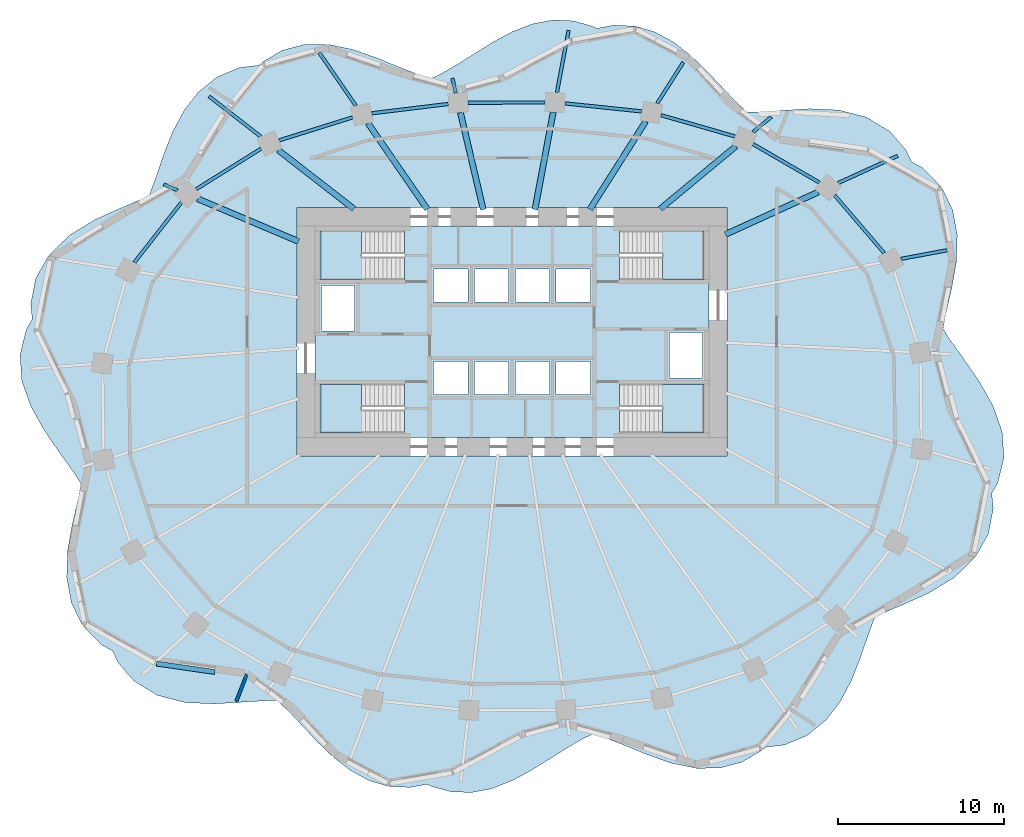
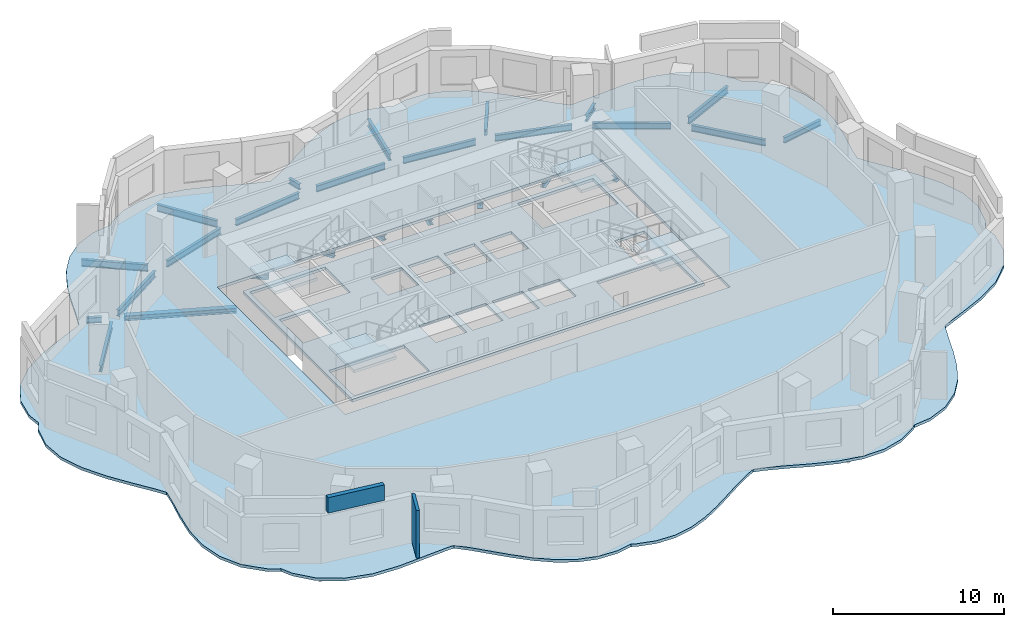
# One storey, part 2 of 8: 26 beams, 6 slabs, 2 walls, 4 elements without a shape of their own.
"""IFC4 building model written with IfcOpenShell, lengths in metres."""

from ifc_helpers import new_model, si_unit, direction, frame, frame_2d, origin, origin_2d, place, context, subcontext, project, spatial, polyline, rectangle, i_section, outline, extrude, material, layer, layer_set, material_profile, profile_set, type_object, element, aggregate, save


model = new_model("IFC4")

# Units and contexts
model_context = context("Model", 3, precision=1e-05, world=origin(), true_north=direction((0.0, 1.0)))
body_context = subcontext(model_context, "Body", "Model", "MODEL_VIEW")
ifc_project = project(units=[si_unit("LENGTHUNIT", "METRE"), si_unit("AREAUNIT", "SQUARE_METRE"), si_unit("VOLUMEUNIT", "CUBIC_METRE"), si_unit("PLANEANGLEUNIT", "RADIAN"), si_unit("MASSUNIT", "GRAM", prefix="KILO")], contexts=[model_context])

# Site, building, storey
site_placement = place(None, origin())
site = spatial("IfcSite", under=ifc_project, at=site_placement, CompositionType="ELEMENT")
building_placement = place(site_placement, origin())
building = spatial("IfcBuilding", under=site, at=building_placement, Name="Rubra Terraces Tower", CompositionType="ELEMENT")
storey_placement = place(building_placement, frame((0.0, 0.0, 106.800048828125)))
storey = spatial("IfcBuildingStorey", under=building, at=storey_placement, Name="L25", CompositionType="ELEMENT", Elevation=106.800048828125)

# Beams
ifc_material_1 = material(Name="Steel Q355B", Category="steel")
ifc_material_profile_1 = material_profile(ifc_material_1, i_section(OverallWidth=0.199951171875, OverallDepth=0.39990234375, WebThickness=0.008056640625, FlangeThickness=0.012939453125, at=origin_2d()), Name="HN 400x200x8x13")
ifc_profile_set_1 = profile_set([ifc_material_profile_1], Name="Steel Q355B")
beam_type_1 = type_object("IfcBeamType", Name="CANTILEVER BEAM HN 400x200x8x13", PredefinedType="BEAM", material=ifc_profile_set_1)
beam_1_placement = place(storey_placement, frame((23.5009765625, 8.904052734375, -0.400146484375), z_axis=(0.982900503659, 0.184137448407, 0.0), x_axis=(-0.184137448407, 0.982900503659, 0.0)))
element("IfcBeam", 1, at=beam_1_placement, inside=storey, type_object=beam_type_1, Name="beam-L25-cant-02", PredefinedType="BEAM", context=body_context, shape_type="SweptSolid", body=[
    extrude(i_section(OverallWidth=0.199951171875, OverallDepth=0.39990234375, WebThickness=0.008056640625, FlangeThickness=0.012939453125, at=origin_2d()), origin(), (0.0, 0.0, 1.0), 2.829345703125),
])
beam_2_placement = place(storey_placement, frame((8.76806640625, 18.29296875, -0.400146484375), z_axis=(0.536506017285, 0.843896494493, 0.0), x_axis=(-0.843896494493, 0.536506017285, 0.0)))
element("IfcBeam", 2, at=beam_2_placement, inside=storey, type_object=beam_type_1, Name="beam-L25-cant-05", PredefinedType="BEAM", context=body_context, shape_type="SweptSolid", body=[
    extrude(i_section(OverallWidth=0.199951171875, OverallDepth=0.39990234375, WebThickness=0.008056640625, FlangeThickness=0.012939453125, at=origin_2d()), origin(), (0.0, 0.0, 1.0), 2.95068359375),
])
ifc_material_profile_2 = material_profile(ifc_material_1, i_section(OverallWidth=0.198974609375, OverallDepth=0.49609375, WebThickness=0.009033203125, FlangeThickness=0.013916015625, at=origin_2d()), Name="HN 496x199x9x14")
ifc_profile_set_2 = profile_set([ifc_material_profile_2], Name="Steel Q355B")
beam_type_2 = type_object("IfcBeamType", Name="CANTILEVER BEAM HN 496x199x9x14", PredefinedType="BEAM", material=ifc_profile_set_2)
beam_3_placement = place(storey_placement, frame((19.697998046875, 13.485107421875, -0.447998046875), z_axis=(0.909768687771, 0.415115567947, 0.0), x_axis=(-0.415115567947, 0.909768687771, 0.0)))
element("IfcBeam", 3, at=beam_3_placement, inside=storey, type_object=beam_type_2, Name="beam-L25-cant-03", PredefinedType="BEAM", context=body_context, shape_type="SweptSolid", body=[
    extrude(i_section(OverallWidth=0.198974609375, OverallDepth=0.49609375, WebThickness=0.009033203125, FlangeThickness=0.013916015625, at=origin_2d()), origin(), (0.0, 0.0, 1.0), 3.950439453125),
])
beam_4_placement = place(storey_placement, frame((2.714111328125, 18.952880859375, -0.447998046875), z_axis=(0.184412291305, 0.982848974571, 0.0), x_axis=(-0.982848974571, 0.184412291305, 0.0)))
element("IfcBeam", 4, at=beam_4_placement, inside=storey, type_object=beam_type_2, Name="beam-L25-cant-06", PredefinedType="BEAM", context=body_context, shape_type="SweptSolid", body=[
    extrude(i_section(OverallWidth=0.198974609375, OverallDepth=0.49609375, WebThickness=0.009033203125, FlangeThickness=0.013916015625, at=origin_2d()), origin(), (0.0, 0.0, 1.0), 3.8115234375),
])
beam_5_placement = place(storey_placement, frame((-9.431884765625, 18.158935546875, -0.447998046875), z_axis=(-0.568196775226, 0.822892717566, 0.0), x_axis=(-0.822892717566, -0.568196775226, 0.0)))
element("IfcBeam", 5, at=beam_5_placement, inside=storey, type_object=beam_type_2, Name="beam-L25-cant-08", PredefinedType="BEAM", context=body_context, shape_type="SweptSolid", body=[
    extrude(i_section(OverallWidth=0.198974609375, OverallDepth=0.49609375, WebThickness=0.009033203125, FlangeThickness=0.013916015625, at=origin_2d()), origin(), (0.0, 0.0, 1.0), 3.8984375),
])
beam_6_placement = place(storey_placement, frame((-15.177001953125, 16.2958984375, -0.447998046875), z_axis=(-0.789565161109, 0.613666730696, 0.0), x_axis=(-0.613666730696, -0.789565161109, 0.0)))
element("IfcBeam", 6, at=beam_6_placement, inside=storey, type_object=beam_type_2, Name="beam-L25-cant-09", PredefinedType="BEAM", context=body_context, shape_type="SweptSolid", body=[
    extrude(i_section(OverallWidth=0.198974609375, OverallDepth=0.49609375, WebThickness=0.009033203125, FlangeThickness=0.013916015625, at=origin_2d()), origin(), (0.0, 0.0, 1.0), 3.9501953125),
])
ifc_material_profile_3 = material_profile(ifc_material_1, i_section(OverallWidth=0.199951171875, OverallDepth=0.39990234375, WebThickness=0.008056640625, FlangeThickness=0.012939453125, at=origin_2d()), Name="HN 400x200x8x13")
ifc_profile_set_3 = profile_set([ifc_material_profile_3], Name="Steel Q355B")
beam_type_3 = type_object("IfcBeamType", Name="CANTILEVER STUB HN 400x200x8x13", PredefinedType="BEAM", material=ifc_profile_set_3)
beam_7_placement = place(storey_placement, frame((14.56201171875, 16.56689453125, -0.400146484375), z_axis=(0.769803051862, 0.63828149068, 0.0), x_axis=(-0.63828149068, 0.769803051862, 0.0)))
element("IfcBeam", 7, at=beam_7_placement, inside=storey, type_object=beam_type_3, Name="beam-L25-cant-04", PredefinedType="BEAM", context=body_context, shape_type="SweptSolid", body=[
    extrude(i_section(OverallWidth=0.199951171875, OverallDepth=0.39990234375, WebThickness=0.008056640625, FlangeThickness=0.012939453125, at=origin_2d()), origin(), (0.0, 0.0, 1.0), 1.427490234375),
])
beam_8_placement = place(storey_placement, frame((-3.39306640625, 18.922119140625, -0.400146484375), z_axis=(-0.228920638897, 0.973445088891, 0.0), x_axis=(-0.973445088891, -0.228920638897, 0.0)))
element("IfcBeam", 8, at=beam_8_placement, inside=storey, type_object=beam_type_3, Name="beam-L25-cant-07", PredefinedType="BEAM", context=body_context, shape_type="SweptSolid", body=[
    extrude(i_section(OverallWidth=0.199951171875, OverallDepth=0.39990234375, WebThickness=0.008056640625, FlangeThickness=0.012939453125, at=origin_2d()), origin(), (0.0, 0.0, 1.0), 0.917236328125),
])
beam_9_placement = place(storey_placement, frame((-20.202880859375, 13.048095703125, -0.400146484375), z_axis=(-0.92094479255, 0.389693070346, 0.0), x_axis=(-0.389693070346, -0.92094479255, 0.0)))
element("IfcBeam", 9, at=beam_9_placement, inside=storey, type_object=beam_type_3, Name="beam-L25-cant-10", PredefinedType="BEAM", context=body_context, shape_type="SweptSolid", body=[
    extrude(i_section(OverallWidth=0.199951171875, OverallDepth=0.39990234375, WebThickness=0.008056640625, FlangeThickness=0.012939453125, at=origin_2d()), origin(), (0.0, 0.0, 1.0), 0.900390625),
])
ifc_material_profile_4 = material_profile(ifc_material_1, i_section(OverallWidth=0.35009765625, OverallDepth=0.35009765625, WebThickness=0.011962890625, FlangeThickness=0.01904296875, at=origin_2d()), Name="HW 350x350x12x19")
ifc_profile_set_4 = profile_set([ifc_material_profile_4], Name="Steel Q355B")
beam_type_4 = type_object("IfcBeamType", Name="FLOOR BEAM HW 350x350x12x19", PredefinedType="BEAM", material=ifc_profile_set_4)
beam_10_placement = place(storey_placement, frame((18.486083984375, 12.93310546875, -0.375), z_axis=(-0.909749612827, -0.415157370116, 0.0), x_axis=(0.415157370116, -0.909749612827, 0.0)))
element("IfcBeam", 10, at=beam_10_placement, inside=storey, type_object=beam_type_4, Name="beam-L25-floor-03", PredefinedType="BEAM", context=body_context, shape_type="SweptSolid", body=[
    extrude(i_section(OverallWidth=0.35009765625, OverallDepth=0.35009765625, WebThickness=0.011962890625, FlangeThickness=0.01904296875, at=origin_2d()), origin(), (0.0, 0.0, 1.0), 6.14990234375),
])
beam_11_placement = place(storey_placement, frame((13.52197265625, 15.705078125, -0.375), z_axis=(-0.769987448283, -0.638059032917, 0.0), x_axis=(0.638059032917, -0.769987448283, 0.0)))
element("IfcBeam", 11, at=beam_11_placement, inside=storey, type_object=beam_type_4, Name="beam-L25-floor-04", PredefinedType="BEAM", context=body_context, shape_type="SweptSolid", body=[
    extrude(i_section(OverallWidth=0.35009765625, OverallDepth=0.35009765625, WebThickness=0.011962890625, FlangeThickness=0.01904296875, at=origin_2d()), origin(), (0.0, 0.0, 1.0), 5.92724609375),
])
beam_12_placement = place(storey_placement, frame((8.075927734375, 17.205078125, -0.375), z_axis=(-0.536468405163, -0.843920405169, 0.0), x_axis=(0.843920405169, -0.536468405163, 0.0)))
element("IfcBeam", 12, at=beam_12_placement, inside=storey, type_object=beam_type_4, Name="beam-L25-floor-05", PredefinedType="BEAM", context=body_context, shape_type="SweptSolid", body=[
    extrude(i_section(OverallWidth=0.35009765625, OverallDepth=0.35009765625, WebThickness=0.011962890625, FlangeThickness=0.01904296875, at=origin_2d()), origin(), (0.0, 0.0, 1.0), 6.28759765625),
])
beam_13_placement = place(storey_placement, frame((2.489990234375, 17.762939453125, -0.375), z_axis=(-0.184505318504, -0.982831515288, 0.0), x_axis=(0.982831515288, -0.184505318504, 0.0)))
element("IfcBeam", 13, at=beam_13_placement, inside=storey, type_object=beam_type_4, Name="beam-L25-floor-06", PredefinedType="BEAM", context=body_context, shape_type="SweptSolid", body=[
    extrude(i_section(OverallWidth=0.35009765625, OverallDepth=0.35009765625, WebThickness=0.011962890625, FlangeThickness=0.01904296875, at=origin_2d()), origin(), (0.0, 0.0, 1.0), 5.983642578125),
])
beam_14_placement = place(storey_placement, frame((-3.114990234375, 17.738037109375, -0.375), z_axis=(0.229084580284, -0.973406520975, 0.0), x_axis=(0.973406520975, 0.229084580284, 0.0)))
element("IfcBeam", 14, at=beam_14_placement, inside=storey, type_object=beam_type_4, Name="beam-L25-floor-07", PredefinedType="BEAM", context=body_context, shape_type="SweptSolid", body=[
    extrude(i_section(OverallWidth=0.35009765625, OverallDepth=0.35009765625, WebThickness=0.011962890625, FlangeThickness=0.01904296875, at=origin_2d()), origin(), (0.0, 0.0, 1.0), 6.014892578125),
])
beam_15_placement = place(storey_placement, frame((-8.694091796875, 17.091064453125, -0.375), z_axis=(0.568116443955, -0.822948179479, 0.0), x_axis=(0.822948179479, 0.568116443955, 0.0)))
element("IfcBeam", 15, at=beam_15_placement, inside=storey, type_object=beam_type_4, Name="beam-L25-floor-08", PredefinedType="BEAM", context=body_context, shape_type="SweptSolid", body=[
    extrude(i_section(OverallWidth=0.35009765625, OverallDepth=0.35009765625, WebThickness=0.011962890625, FlangeThickness=0.01904296875, at=origin_2d()), origin(), (0.0, 0.0, 1.0), 6.306884765625),
])
beam_16_placement = place(storey_placement, frame((-14.10888671875, 15.466064453125, -0.375), z_axis=(0.789514006973, -0.613732541742, 0.0), x_axis=(0.613732541742, 0.789514006973, 0.0)))
element("IfcBeam", 16, at=beam_16_placement, inside=storey, type_object=beam_type_4, Name="beam-L25-floor-09", PredefinedType="BEAM", context=body_context, shape_type="SweptSolid", body=[
    extrude(i_section(OverallWidth=0.35009765625, OverallDepth=0.35009765625, WebThickness=0.011962890625, FlangeThickness=0.01904296875, at=origin_2d()), origin(), (0.0, 0.0, 1.0), 5.76806640625),
])
beam_17_placement = place(storey_placement, frame((-18.98291015625, 12.531982421875, -0.375), z_axis=(0.920986092, -0.389595454726, 0.0), x_axis=(0.389595454726, 0.920986092, 0.0)))
element("IfcBeam", 17, at=beam_17_placement, inside=storey, type_object=beam_type_4, Name="beam-L25-floor-10", PredefinedType="BEAM", context=body_context, shape_type="SweptSolid", body=[
    extrude(i_section(OverallWidth=0.35009765625, OverallDepth=0.35009765625, WebThickness=0.011962890625, FlangeThickness=0.01904296875, at=origin_2d()), origin(), (0.0, 0.0, 1.0), 6.61669921875),
])
ifc_material_profile_5 = material_profile(ifc_material_1, i_section(OverallWidth=0.198974609375, OverallDepth=0.446044921875, WebThickness=0.008056640625, FlangeThickness=0.011962890625, at=origin_2d()), Name="HN 446x199x8x12")
ifc_profile_set_5 = profile_set([ifc_material_profile_5], Name="Steel Q355B")
beam_type_5 = type_object("IfcBeamType", Name="SPANDREL BEAM HN 446x199x8x12", PredefinedType="SPANDREL", material=ifc_profile_set_5)
beam_18_placement = place(storey_placement, frame((22.48095703125, 9.251953125, -0.423095703125), z_axis=(-0.650428637413, 0.759567368726, 0.0), x_axis=(-0.759567368726, -0.650428637413, 0.0)))
element("IfcBeam", 18, at=beam_18_placement, inside=storey, type_object=beam_type_5, Name="beam-L25-spandrel-02", PredefinedType="SPANDREL", context=body_context, shape_type="SweptSolid", body=[
    extrude(i_section(OverallWidth=0.198974609375, OverallDepth=0.446044921875, WebThickness=0.008056640625, FlangeThickness=0.011962890625, at=origin_2d()), origin(), (0.0, 0.0, 1.0), 4.6015625),
])
beam_19_placement = place(storey_placement, frame((18.56494140625, 13.513916015625, -0.423095703125), z_axis=(-0.865116425734, 0.501571101565, 0.0), x_axis=(-0.501571101565, -0.865116425734, 0.0)))
element("IfcBeam", 19, at=beam_19_placement, inside=storey, type_object=beam_type_5, Name="beam-L25-spandrel-03", PredefinedType="SPANDREL", context=body_context, shape_type="SweptSolid", body=[
    extrude(i_section(OverallWidth=0.198974609375, OverallDepth=0.446044921875, WebThickness=0.008056640625, FlangeThickness=0.011962890625, at=origin_2d()), origin(), (0.0, 0.0, 1.0), 4.62353515625),
])
beam_20_placement = place(storey_placement, frame((13.4609375, 16.302978515625, -0.423095703125), z_axis=(-0.961195652649, 0.275867572085, 0.0), x_axis=(-0.275867572085, -0.961195652649, 0.0)))
element("IfcBeam", 20, at=beam_20_placement, inside=storey, type_object=beam_type_5, Name="beam-L25-spandrel-04", PredefinedType="SPANDREL", context=body_context, shape_type="SweptSolid", body=[
    extrude(i_section(OverallWidth=0.198974609375, OverallDepth=0.446044921875, WebThickness=0.008056640625, FlangeThickness=0.011962890625, at=origin_2d()), origin(), (0.0, 0.0, 1.0), 4.639892578125),
])
beam_21_placement = place(storey_placement, frame((7.822998046875, 17.81201171875, -0.423095703125), z_axis=(-0.994588599148, 0.103891859374, 0.0), x_axis=(-0.103891859374, -0.994588599148, 0.0)))
element("IfcBeam", 21, at=beam_21_placement, inside=storey, type_object=beam_type_5, Name="beam-L25-spandrel-05", PredefinedType="SPANDREL", context=body_context, shape_type="SweptSolid", body=[
    extrude(i_section(OverallWidth=0.198974609375, OverallDepth=0.446044921875, WebThickness=0.008056640625, FlangeThickness=0.011962890625, at=origin_2d()), origin(), (0.0, 0.0, 1.0), 4.648193359375),
])
beam_22_placement = place(storey_placement, frame((2.0009765625, 18.35498046875, -0.423095703125), z_axis=(-0.99998885538, -0.004721135025, 0.0), x_axis=(0.004721135025, -0.99998885538, 0.0)))
element("IfcBeam", 22, at=beam_22_placement, inside=storey, type_object=beam_type_5, Name="beam-L25-spandrel-06", PredefinedType="SPANDREL", context=body_context, shape_type="SweptSolid", body=[
    extrude(i_section(OverallWidth=0.198974609375, OverallDepth=0.446044921875, WebThickness=0.008056640625, FlangeThickness=0.011962890625, at=origin_2d()), origin(), (0.0, 0.0, 1.0), 4.654052734375),
])
beam_23_placement = place(storey_placement, frame((-3.85107421875, 18.258056640625, -0.423095703125), z_axis=(-0.992713612833, -0.120497646851, 0.0), x_axis=(0.120497646851, -0.992713612833, 0.0)))
element("IfcBeam", 23, at=beam_23_placement, inside=storey, type_object=beam_type_5, Name="beam-L25-spandrel-07", PredefinedType="SPANDREL", context=body_context, shape_type="SweptSolid", body=[
    extrude(i_section(OverallWidth=0.198974609375, OverallDepth=0.446044921875, WebThickness=0.008056640625, FlangeThickness=0.011962890625, at=origin_2d()), origin(), (0.0, 0.0, 1.0), 4.64794921875),
])
beam_24_placement = place(storey_placement, frame((-9.637939453125, 17.445068359375, -0.423095703125), z_axis=(-0.954462184919, -0.298331925142, 0.0), x_axis=(0.298331925142, -0.954462184919, 0.0)))
element("IfcBeam", 24, at=beam_24_placement, inside=storey, type_object=beam_type_5, Name="beam-L25-spandrel-08", PredefinedType="SPANDREL", context=body_context, shape_type="SweptSolid", body=[
    extrude(i_section(OverallWidth=0.198974609375, OverallDepth=0.446044921875, WebThickness=0.008056640625, FlangeThickness=0.011962890625, at=origin_2d()), origin(), (0.0, 0.0, 1.0), 4.63916015625),
])
beam_25_placement = place(storey_placement, frame((-15.156005859375, 15.56103515625, -0.423095703125), z_axis=(-0.848188188849, -0.529695003089, 0.0), x_axis=(0.529695003089, -0.848188188849, 0.0)))
element("IfcBeam", 25, at=beam_25_placement, inside=storey, type_object=beam_type_5, Name="beam-L25-spandrel-09", PredefinedType="SPANDREL", context=body_context, shape_type="SweptSolid", body=[
    extrude(i_section(OverallWidth=0.198974609375, OverallDepth=0.446044921875, WebThickness=0.008056640625, FlangeThickness=0.011962890625, at=origin_2d()), origin(), (0.0, 0.0, 1.0), 4.62158203125),
])
beam_26_placement = place(storey_placement, frame((-19.968994140625, 12.31103515625, -0.423095703125), z_axis=(-0.61694919408, -0.787002980886, 0.0), x_axis=(0.787002980886, -0.61694919408, 0.0)))
element("IfcBeam", 26, at=beam_26_placement, inside=storey, type_object=beam_type_5, Name="beam-L25-spandrel-10", PredefinedType="SPANDREL", context=body_context, shape_type="SweptSolid", body=[
    extrude(i_section(OverallWidth=0.198974609375, OverallDepth=0.446044921875, WebThickness=0.008056640625, FlangeThickness=0.011962890625, at=origin_2d()), origin(), (0.0, 0.0, 1.0), 4.599853515625),
])

# Slab
ifc_material_2 = material(Name="Concrete C40", Category="concrete")
ifc_layer_1 = layer(ifc_material_2, 0.199951171875)
ifc_layer_set_1 = layer_set([ifc_layer_1], Name="Concrete C40")
slab_type_1 = type_object("IfcSlabType", Name="Core floor slab 200 concrete", PredefinedType="FLOOR", material=ifc_layer_set_1)
slab_1_placement = place(storey_placement, frame((0.0, 0.0, -0.199951171875)))
element("IfcSlab", 27, at=slab_1_placement, inside=storey, type_object=slab_type_1, Name="CORE FLOOR SLAB L25", PredefinedType="FLOOR", context=body_context, shape_type="SweptSolid", body=[
    extrude(outline(polyline([(-11.89990234375, -1.89990234375), (-11.89990234375, 10.89990234375), (11.89990234375, 10.89990234375), (11.89990234375, -1.89990234375), (-11.89990234375, -1.89990234375)]), holes=[polyline([(11.597900390625, 1.347900390625), (6.501953125, 1.347900390625), (6.501953125, -1.597900390625), (11.597900390625, -1.597900390625), (11.597900390625, 1.347900390625)]), polyline([(11.597900390625, 7.652099609375), (11.597900390625, 10.597900390625), (6.501953125, 10.597900390625), (6.501953125, 7.652099609375), (11.597900390625, 7.652099609375)]), polyline([(9.5, 1.699951171875), (11.5, 1.699951171875), (11.5, 4.449951171875), (9.5, 4.449951171875), (9.5, 1.699951171875)]), polyline([(4.75, 0.699951171875), (4.75, 2.699951171875), (2.64990234375, 2.699951171875), (2.64990234375, 0.699951171875), (4.75, 0.699951171875)]), polyline([(4.75, 6.300048828125), (4.75, 8.300048828125), (2.64990234375, 8.300048828125), (2.64990234375, 6.300048828125), (4.75, 6.300048828125)]), polyline([(2.25, 0.699951171875), (2.25, 2.699951171875), (0.199951171875, 2.699951171875), (0.199951171875, 0.699951171875), (2.25, 0.699951171875)]), polyline([(2.25, 6.300048828125), (2.25, 8.300048828125), (0.199951171875, 8.300048828125), (0.199951171875, 6.300048828125), (2.25, 6.300048828125)]), polyline([(-0.199951171875, 0.699951171875), (-0.199951171875, 2.699951171875), (-2.25, 2.699951171875), (-2.25, 0.699951171875), (-0.199951171875, 0.699951171875)]), polyline([(-0.199951171875, 6.300048828125), (-0.199951171875, 8.300048828125), (-2.25, 8.300048828125), (-2.25, 6.300048828125), (-0.199951171875, 6.300048828125)]), polyline([(-2.64990234375, 0.699951171875), (-2.64990234375, 2.699951171875), (-4.75, 2.699951171875), (-4.75, 0.699951171875), (-2.64990234375, 0.699951171875)]), polyline([(-2.64990234375, 8.300048828125), (-4.75, 8.300048828125), (-4.75, 6.300048828125), (-2.64990234375, 6.300048828125), (-2.64990234375, 8.300048828125)]), polyline([(-11.597900390625, -1.597900390625), (-6.501953125, -1.597900390625), (-6.501953125, 1.347900390625), (-11.597900390625, 1.347900390625), (-11.597900390625, -1.597900390625)]), polyline([(-11.597900390625, 10.597900390625), (-11.597900390625, 7.652099609375), (-6.501953125, 7.652099609375), (-6.501953125, 10.597900390625), (-11.597900390625, 10.597900390625)]), polyline([(-9.5, 4.550048828125), (-9.5, 7.300048828125), (-11.5, 7.300048828125), (-11.5, 4.550048828125), (-9.5, 4.550048828125)])]), origin(), (0.0, 0.0, 1.0), 0.199951171875),
])

# Stair, slab
stair_type = type_object("IfcStairType", Name="Core stair 1400", PredefinedType="HALF_TURN_STAIR", material=ifc_material_2)
stair_1_placement = place(storey_placement, origin())
stair_1 = element("IfcStair", 28, at=stair_1_placement, inside=storey, type_object=stair_type, Name="L25 Exit stair S1", PredefinedType="HALF_TURN_STAIR")
ifc_layer_2 = layer(ifc_material_2, 0.199951171875)
ifc_layer_set_2 = layer_set([ifc_layer_2], Name="Concrete C40")
slab_type_2 = type_object("IfcSlabType", Name="Core stair landing 200", PredefinedType="LANDING", material=ifc_layer_set_2)
slab_2_placement = place(storey_placement, frame((0.0, 0.0, 1.599853515625)))
slab_2 = element("IfcSlab", 29, at=slab_2_placement, type_object=slab_type_2, Name="S1 landing 1", PredefinedType="LANDING", context=body_context, shape_type="SweptSolid", body=[
    extrude(outline(polyline([(-8.719970703125, -0.199951171875), (-8.719970703125, -1.60009765625), (-9.10009765625, -1.60009765625), (-9.1201171875, -1.60009765625), (-11.60009765625, -1.60009765625), (-11.60009765625, 1.35009765625), (-9.1201171875, 1.35009765625), (-9.097900390625, 1.35009765625), (-9.097900390625, -0.050048828125), (-9.10009765625, -0.050048828125), (-9.10009765625, -0.199951171875), (-8.719970703125, -0.199951171875)])), origin(), (0.0, 0.0, 1.0), 0.2001953125),
])
aggregate(stair_1, [slab_2])

stair_2_placement = place(storey_placement, origin())
stair_2 = element("IfcStair", 30, at=stair_2_placement, inside=storey, type_object=stair_type, Name="L25 Exit stair S2", PredefinedType="HALF_TURN_STAIR")
slab_3_placement = place(storey_placement, frame((0.0, 0.0, 1.599853515625)))
slab_3 = element("IfcSlab", 31, at=slab_3_placement, type_object=slab_type_2, Name="S2 landing 1", PredefinedType="LANDING", context=body_context, shape_type="SweptSolid", body=[
    extrude(outline(polyline([(-8.719970703125, 9.050048828125), (-8.719970703125, 7.64990234375), (-9.1201171875, 7.64990234375), (-11.60009765625, 7.64990234375), (-11.60009765625, 10.60009765625), (-9.1201171875, 10.60009765625), (-9.10009765625, 10.60009765625), (-9.097900390625, 10.60009765625), (-9.097900390625, 9.199951171875), (-9.10009765625, 9.199951171875), (-9.10009765625, 9.050048828125), (-8.719970703125, 9.050048828125)])), origin(), (0.0, 0.0, 1.0), 0.2001953125),
])
aggregate(stair_2, [slab_3])

stair_3_placement = place(storey_placement, origin())
stair_3 = element("IfcStair", 32, at=stair_3_placement, inside=storey, type_object=stair_type, Name="L25 Exit stair S3", PredefinedType="HALF_TURN_STAIR")
slab_4_placement = place(storey_placement, frame((0.0, 0.0, 1.599853515625)))
slab_4 = element("IfcSlab", 33, at=slab_4_placement, type_object=slab_type_2, Name="S3 landing 1", PredefinedType="LANDING", context=body_context, shape_type="SweptSolid", body=[
    extrude(outline(polyline([(9.10009765625, 9.050048828125), (9.10009765625, 9.199951171875), (8.719970703125, 9.199951171875), (8.719970703125, 10.60009765625), (9.10009765625, 10.60009765625), (9.1201171875, 10.60009765625), (11.60009765625, 10.60009765625), (11.60009765625, 7.64990234375), (9.1201171875, 7.64990234375), (9.097900390625, 7.64990234375), (9.097900390625, 9.050048828125), (9.10009765625, 9.050048828125)])), origin(), (0.0, 0.0, 1.0), 0.2001953125),
])
aggregate(stair_3, [slab_4])

stair_4_placement = place(storey_placement, origin())
stair_4 = element("IfcStair", 34, at=stair_4_placement, inside=storey, type_object=stair_type, Name="L25 Exit stair S4", PredefinedType="HALF_TURN_STAIR")
slab_5_placement = place(storey_placement, frame((0.0, 0.0, 1.599853515625)))
slab_5 = element("IfcSlab", 35, at=slab_5_placement, type_object=slab_type_2, Name="S4 landing 1", PredefinedType="LANDING", context=body_context, shape_type="SweptSolid", body=[
    extrude(outline(polyline([(9.10009765625, -0.199951171875), (9.10009765625, -0.050048828125), (8.719970703125, -0.050048828125), (8.719970703125, 1.35009765625), (9.10009765625, 1.35009765625), (9.1201171875, 1.35009765625), (11.60009765625, 1.35009765625), (11.60009765625, -1.60009765625), (9.1201171875, -1.60009765625), (9.10009765625, -1.60009765625), (9.097900390625, -1.60009765625), (9.097900390625, -0.199951171875), (9.10009765625, -0.199951171875)])), origin(), (0.0, 0.0, 1.0), 0.2001953125),
])
aggregate(stair_4, [slab_5])

# Slab
ifc_layer_3 = layer(ifc_material_2, 0.199951171875)
ifc_layer_set_3 = layer_set([ifc_layer_3], Name="Concrete C40")
slab_type_3 = type_object("IfcSlabType", Name="FLOOR SLAB 200 COMPOSITE", PredefinedType="FLOOR", material=ifc_layer_set_3)
slab_6_placement = place(storey_placement, frame((0.0, 0.0, -0.199951171875)))
element("IfcSlab", 36, at=slab_6_placement, inside=storey, type_object=slab_type_3, Name="FLOOR SLAB L25", PredefinedType="FLOOR", context=body_context, shape_type="SweptSolid", body=[
    extrude(outline(polyline([(15.10009765625, -20.782958984375), (15.297119140625, -20.60009765625), (16.469970703125, -20.4541015625), (17.81298828125, -19.89404296875), (18.964111328125, -18.964111328125), (19.81591796875, -17.863037109375), (20.489013671875, -16.59912109375), (21.01904296875, -15.27099609375), (21.498046875, -13.864990234375), (21.919921875, -12.72900390625), (22.05810546875, -12.64990234375), (23.56298828125, -12.006103515625), (25.175048828125, -11.283935546875), (26.72509765625, -10.337890625), (28.0, -9.097900390625), (28.77099609375, -7.715087890625), (29.072021484375, -6.176025390625), (28.97998046875, -5.259033203125), (29.337890625, -4.64697265625), (29.717041015625, -3.10107421875), (29.60595703125, -1.52587890625), (29.06689453125, 0.0), (28.240966796875, 1.47998046875), (27.278076171875, 2.87890625), (26.34912109375, 4.173095703125), (26.041015625, 4.68603515625), (26.18994140625, 5.527099609375), (26.551025390625, 7.068115234375), (26.843994140625, 8.721923828125), (26.89794921875, 10.322021484375), (26.618896484375, 11.860107421875), (25.9541015625, 13.22412109375), (24.791015625, 14.4169921875), (24.135986328125, 14.76708984375), (23.7900390625, 15.491943359375), (22.839111328125, 16.593017578125), (21.4150390625, 17.4619140625), (19.748046875, 17.89501953125), (17.97607421875, 17.97607421875), (16.18408203125, 17.864013671875), (14.509033203125, 17.763916015625), (14.173095703125, 17.787109375), (13.430908203125, 18.487060546875), (12.596923828125, 19.3779296875), (11.72509765625, 20.303955078125), (10.798095703125, 21.19189453125), (9.7509765625, 22.001953125), (8.634033203125, 22.60888671875), (7.4599609375, 22.958984375), (6.156982421875, 23.02197265625), (5.1279296875, 22.8291015625), (4.843994140625, 22.967041015625), (3.68701171875, 23.281982421875), (2.450927734375, 23.33203125), (1.217041015625, 23.095947265625), (0.0, 22.616943359375), (-1.110107421875, 22.02294921875), (-2.2041015625, 21.34912109375), (-3.27392578125, 20.6708984375), (-4.283935546875, 20.08203125), (-4.864013671875, 19.80908203125), (-4.2451171875, 19.64501953125), (-5.419921875, 19.9560546875), (-6.633056640625, 20.4130859375), (-8.09912109375, 21.01806640625), (-9.613037109375, 21.552001953125), (-11.14208984375, 21.866943359375), (-12.552978515625, 21.85595703125), (-13.886962890625, 21.4951171875), (-15.10009765625, 20.782958984375), (-15.297119140625, 20.60009765625), (-16.469970703125, 20.4541015625), (-17.81298828125, 19.89404296875), (-18.964111328125, 18.964111328125), (-19.81591796875, 17.863037109375), (-20.489013671875, 16.59912109375), (-21.01904296875, 15.27099609375), (-21.498046875, 13.864990234375), (-21.919921875, 12.72900390625), (-22.05810546875, 12.64990234375), (-23.56298828125, 12.006103515625), (-25.175048828125, 11.283935546875), (-26.72509765625, 10.337890625), (-28.0, 9.097900390625), (-28.77099609375, 7.715087890625), (-29.072021484375, 6.176025390625), (-28.97998046875, 5.259033203125), (-29.337890625, 4.64697265625), (-29.717041015625, 3.10107421875), (-29.60595703125, 1.52587890625), (-29.06689453125, 0.0), (-28.240966796875, -1.47998046875), (-27.278076171875, -2.87890625), (-26.34912109375, -4.173095703125), (-26.041015625, -4.68603515625), (-26.18994140625, -5.527099609375), (-26.551025390625, -7.068115234375), (-26.843994140625, -8.721923828125), (-26.89794921875, -10.322021484375), (-26.618896484375, -11.860107421875), (-25.9541015625, -13.22412109375), (-24.791015625, -14.4169921875), (-24.135986328125, -14.76708984375), (-23.7900390625, -15.491943359375), (-22.839111328125, -16.593017578125), (-21.4150390625, -17.4619140625), (-19.748046875, -17.89501953125), (-17.97607421875, -17.97607421875), (-16.18408203125, -17.864013671875), (-14.509033203125, -17.763916015625), (-14.173095703125, -17.787109375), (-13.430908203125, -18.487060546875), (-12.596923828125, -19.3779296875), (-11.72509765625, -20.303955078125), (-10.798095703125, -21.19189453125), (-9.7509765625, -22.001953125), (-8.634033203125, -22.60888671875), (-7.4599609375, -22.958984375), (-6.156982421875, -23.02197265625), (-5.1279296875, -22.8291015625), (-4.843994140625, -22.967041015625), (-3.68701171875, -23.281982421875), (-2.450927734375, -23.33203125), (-1.217041015625, -23.095947265625), (0.0, -22.616943359375), (1.110107421875, -22.02294921875), (2.2041015625, -21.34912109375), (3.27392578125, -20.6708984375), (4.283935546875, -20.08203125), (4.864013671875, -19.80908203125), (4.2451171875, -19.64501953125), (5.419921875, -19.9560546875), (6.633056640625, -20.4130859375), (8.09912109375, -21.01806640625), (9.613037109375, -21.552001953125), (11.14208984375, -21.866943359375), (12.552978515625, -21.85595703125), (13.886962890625, -21.4951171875), (15.10009765625, -20.782958984375)]), holes=[polyline([(13.0, 12.0), (13.0, -3.0), (-13.0, -3.0), (-13.0, 12.0), (13.0, 12.0)])]), origin(), (0.0, 0.0, 1.0), 0.199951171875),
])

# Walls
ifc_material_3 = material(Name="Brick masonry red-brown", Category="masonry")
ifc_layer_4 = layer(ifc_material_3, 0.300048828125)
ifc_layer_set_4 = layer_set([ifc_layer_4], Name="Brick masonry red-brown")
wall_type_1 = type_object("IfcWallType", Name="Brick parapet 300", PredefinedType="PARAPET", material=ifc_layer_set_4)
wall_1_placement = place(storey_placement, frame((-21.470703125, -15.540771484375, 3.599853515625), z_axis=(0.0, 0.0, 1.0), x_axis=(0.989713234374, -0.143065417571, 0.0)))
element("IfcWall", 37, at=wall_1_placement, inside=storey, type_object=wall_type_1, Name="Parapet L25 bay 25", PredefinedType="PARAPET", context=body_context, shape_type="SweptSolid", body=[
    extrude(rectangle(XDim=3.5546875, YDim=0.300048828125, at=frame_2d((1.77734375, 0.0))), origin(), (0.0, 0.0, 1.0), 1.10009765625),
])
ifc_layer_5 = layer(ifc_material_3, 0.199951171875)
ifc_layer_set_5 = layer_set([ifc_layer_5], Name="Brick masonry red-brown")
wall_type_2 = type_object("IfcWallType", Name="Brick wind fin 200", PredefinedType="SOLIDWALL", material=ifc_layer_set_5)
wall_2_placement = place(storey_placement, frame((-16.01904296875, -16.195068359375, 0.0), z_axis=(0.0, 0.0, 1.0), x_axis=(-0.362641522028, -0.931928713208, 0.0)))
element("IfcWall", 38, at=wall_2_placement, inside=storey, type_object=wall_type_2, Name="Wind fin L25 16", PredefinedType="SOLIDWALL", context=body_context, shape_type="SweptSolid", body=[
    extrude(rectangle(XDim=1.749755859375, YDim=0.199951171875, at=frame_2d((0.875, 0.0))), origin(), (0.0, 0.0, 1.0), 3.39990234375),
])

save(model, "model.ifc")
